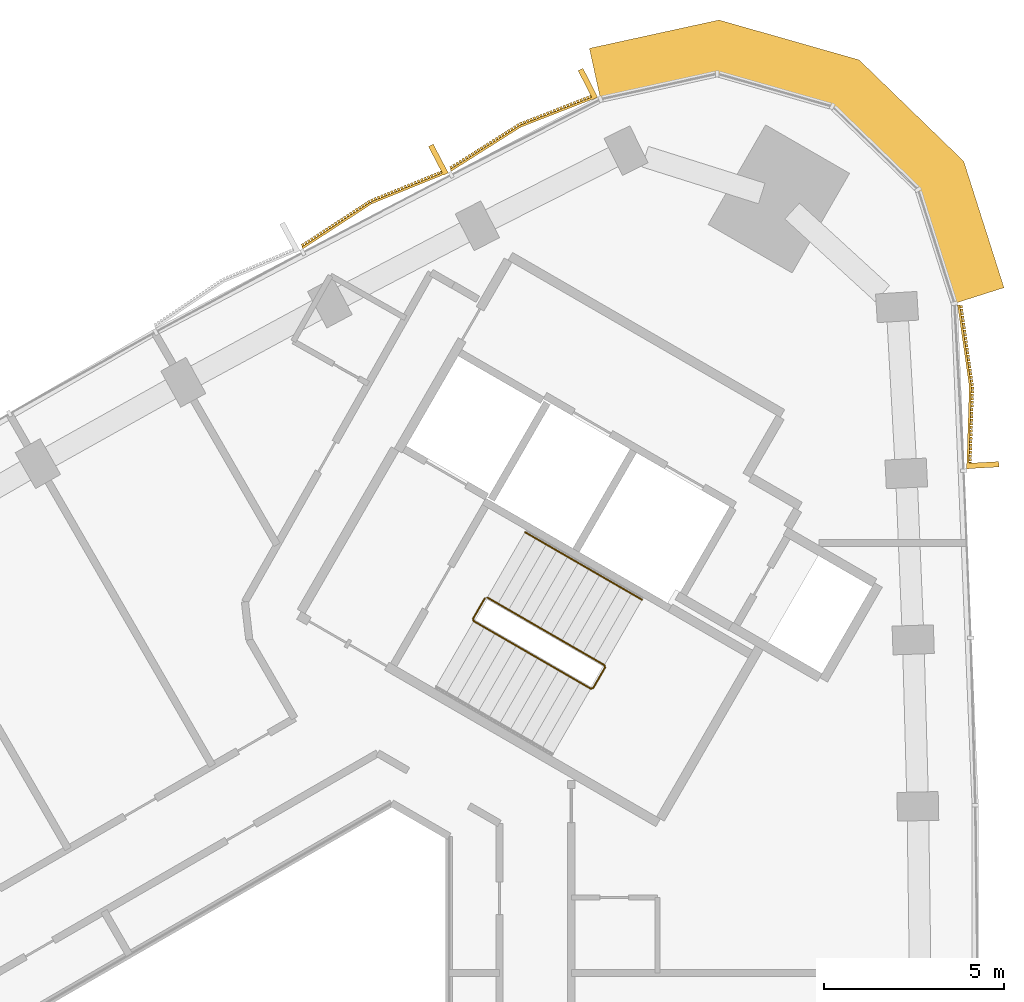
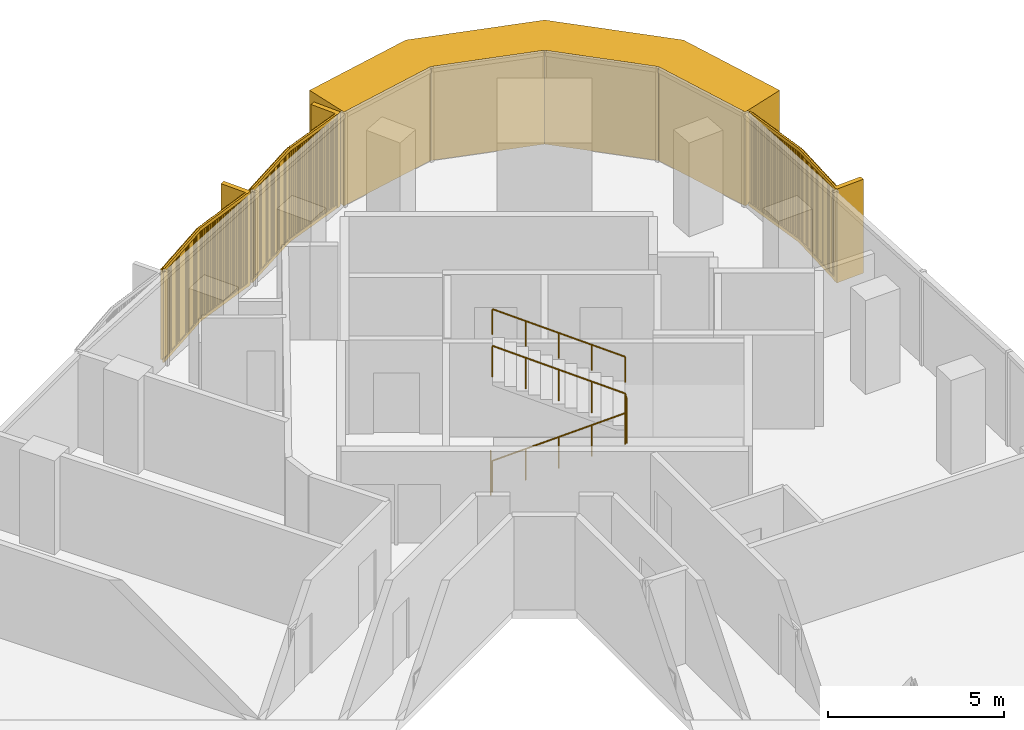
# One storey, part 13 of 13: 4 coverings, 2 railings.
"""IFC4 building model written with IfcOpenShell, lengths in metres."""

import ifcopenshell
import ifcopenshell.guid

model = None  # the IFC model being written
_history = None  # IfcOwnerHistory: only IFC2X3 demands one
_inside = {}  # id of a spatial element -> (the spatial element, [elements in it])
_under = {}  # id of a project, library or spatial element -> (it, [spatial elements below it])
_declared = {}  # id of a project -> (the project, [libraries it declares])
_typed = {}  # id of a type object -> (the type object, [elements of that type])
_made_of = {}  # id of a material, layer set ... -> (it, [elements and type objects made of it])


def new_model(schema):
    """Start an empty IFC model of exactly this schema.

    Asked for "IFC4X3", IfcOpenShell would pick the latest addendum, in which some entities
    have other attributes; the version numbers below select the first issue.
    IFC2X3 requires an IfcOwnerHistory on every rooted entity: one is made here for all.
    """
    global model, _history
    if schema == "IFC4X3":
        model = ifcopenshell.file(schema_version=(4, 3, 0, 0))
    else:
        model = ifcopenshell.file(schema=schema)
    _inside.clear()
    _under.clear()
    _declared.clear()
    _typed.clear()
    _made_of.clear()
    _history = None
    if model.schema == "IFC2X3":
        org = make("IfcOrganization", Name="unknown")
        user = make(
            "IfcPersonAndOrganization",
            ThePerson=make("IfcPerson", FamilyName="unknown"),
            TheOrganization=org,
        )
        app = make(
            "IfcApplication",
            ApplicationDeveloper=org,
            Version="unknown",
            ApplicationFullName="unknown",
            ApplicationIdentifier="unknown",
        )
        _history = make(
            "IfcOwnerHistory",
            OwningUser=user,
            OwningApplication=app,
            ChangeAction="ADDED",
            CreationDate=0,
        )
    return model


def make(cls, **values):
    """One entity of the class cls with the attributes given. An attribute that is None is left unset."""
    return model.create_entity(
        cls, **{name: value for name, value in values.items() if value is not None}
    )


def rooted(cls, **values):
    """An entity with a GlobalId (a new one), such as an element, a storey or a relation."""
    return make(cls, GlobalId=ifcopenshell.guid.new(), OwnerHistory=_history, **values)


def si_unit(unit_type, name, prefix=None):
    """IfcSIUnit, for example si_unit("LENGTHUNIT", "METRE", prefix="MILLI")."""
    return make("IfcSIUnit", UnitType=unit_type, Prefix=prefix, Name=name)


def assignment(units):
    """IfcUnitAssignment: the units of a project."""
    return None if units is None else make("IfcUnitAssignment", Units=units)


def point(xyz):
    """IfcCartesianPoint."""
    return None if xyz is None else make("IfcCartesianPoint", Coordinates=xyz)


def direction(xyz):
    """IfcDirection."""
    return None if xyz is None else make("IfcDirection", DirectionRatios=xyz)


def frame(location, z_axis=None, x_axis=None):
    """IfcAxis2Placement3D, a coordinate frame: its origin and axes. An axis left out is left unset."""
    return make(
        "IfcAxis2Placement3D",
        Location=point(location),
        Axis=direction(z_axis),
        RefDirection=direction(x_axis),
    )


def frame_2d(location, x_axis=None):
    """IfcAxis2Placement2D, a coordinate frame in the plane: its origin and x axis."""
    return make(
        "IfcAxis2Placement2D", Location=point(location), RefDirection=direction(x_axis)
    )


def origin():
    """The frame at (0, 0, 0) with its axes left unset."""
    return frame((0.0, 0.0, 0.0))


def origin_2d():
    """The frame at (0, 0) in the plane with its x axis left unset."""
    return frame_2d((0.0, 0.0))


def place(relative_to, where):
    """IfcLocalPlacement: puts the frame where relative to a parent placement (None: the world)."""
    return make(
        "IfcLocalPlacement", PlacementRelTo=relative_to, RelativePlacement=where
    )


def context(
    kind, dimensions, precision=None, world=None, true_north=None, identifier=None
):
    """IfcGeometricRepresentationContext, for example the 3D "Model" context."""
    return make(
        "IfcGeometricRepresentationContext",
        ContextIdentifier=identifier,
        ContextType=kind,
        CoordinateSpaceDimension=dimensions,
        Precision=precision,
        WorldCoordinateSystem=world,
        TrueNorth=true_north,
    )


def subcontext(parent, identifier, kind, view, scale=None):
    """IfcGeometricRepresentationSubContext, for example "Body" below "Model"."""
    return make(
        "IfcGeometricRepresentationSubContext",
        ContextIdentifier=identifier,
        ContextType=kind,
        ParentContext=parent,
        TargetScale=scale,
        TargetView=view,
    )


def project(units=None, contexts=None):
    """IfcProject with its units and contexts."""
    return rooted(
        "IfcProject",
        Name="project",
        RepresentationContexts=contexts,
        UnitsInContext=assignment(units),
    )


def spatial(cls, under=None, at=None, **own):
    """A site, building, storey or space (cls), placed at a placement, below another one or the project."""
    s = rooted(cls, ObjectPlacement=at, **own)
    if under is not None:
        _under.setdefault(under.id(), (under, []))[1].append(s)
    return s


def polyline(points):
    """IfcPolyline through the points."""
    return make("IfcPolyline", Points=[point(p) for p in points])


def profile(cls, at=None, kind="AREA", **sizes):
    """A parametric profile (cls). Its sizes go by their IFC names, for example OverallWidth=200.0."""
    return make(cls, ProfileType=kind, Position=at, **sizes)


def rectangle(**sizes):
    """IfcRectangleProfileDef."""
    return profile("IfcRectangleProfileDef", **sizes)


def circle(**sizes):
    """IfcCircleProfileDef."""
    return profile("IfcCircleProfileDef", **sizes)


def outline(outer, holes=None, kind="AREA"):
    """IfcArbitraryClosedProfileDef: a profile drawn as a closed curve; with holes, ...WithVoids."""
    if holes is None:
        return make("IfcArbitraryClosedProfileDef", ProfileType=kind, OuterCurve=outer)
    return make(
        "IfcArbitraryProfileDefWithVoids",
        ProfileType=kind,
        OuterCurve=outer,
        InnerCurves=holes,
    )


def extrude(swept, where, along, depth):
    """IfcExtrudedAreaSolid: the profile swept, set in the frame where, extruded along a direction by depth."""
    return make(
        "IfcExtrudedAreaSolid",
        SweptArea=swept,
        Position=where,
        ExtrudedDirection=direction(along),
        Depth=depth,
    )


def shape(context_of_items, identifier, shape_type, items):
    """IfcShapeRepresentation: the items that make up one representation, for example the "Body"."""
    return make(
        "IfcShapeRepresentation",
        ContextOfItems=context_of_items,
        RepresentationIdentifier=identifier,
        RepresentationType=shape_type,
        Items=items,
    )


def source(mapping_origin, context_of_items, identifier, shape_type, items):
    """IfcRepresentationMap: a shape defined once, which mapped items show again and again."""
    return make(
        "IfcRepresentationMap",
        MappingOrigin=mapping_origin,
        MappedRepresentation=shape(context_of_items, identifier, shape_type, items),
    )


def transform(
    local_origin,
    x_axis=None,
    y_axis=None,
    z_axis=None,
    scale=None,
    scale2=None,
    scale3=None,
    uniform=True,
):
    """IfcCartesianTransformationOperator3D, or its non-uniform kind. x_axis, y_axis, z_axis: its Axis1, 2, 3."""
    if uniform:
        return make(
            "IfcCartesianTransformationOperator3D",
            Axis1=direction(x_axis),
            Axis2=direction(y_axis),
            LocalOrigin=point(local_origin),
            Scale=scale,
            Axis3=direction(z_axis),
        )
    return make(
        "IfcCartesianTransformationOperator3DnonUniform",
        Axis1=direction(x_axis),
        Axis2=direction(y_axis),
        LocalOrigin=point(local_origin),
        Scale=scale,
        Axis3=direction(z_axis),
        Scale2=scale2,
        Scale3=scale3,
    )


def mapped(mapping_source, mapping_target):
    """IfcMappedItem: shows the shape of a source again, moved by a transform."""
    return make(
        "IfcMappedItem", MappingSource=mapping_source, MappingTarget=mapping_target
    )


def material(Name=None, Category=None):
    """IfcMaterial."""
    return make("IfcMaterial", Name=Name, Category=Category)


def layer(
    of_material, thickness, ventilated=None, Name=None, Category=None, Priority=None
):
    """IfcMaterialLayer: one layer of a wall or slab, of a material (None: an air gap)."""
    return make(
        "IfcMaterialLayer",
        Material=of_material,
        LayerThickness=thickness,
        IsVentilated=ventilated,
        Name=Name,
        Category=Category,
        Priority=Priority,
    )


def layer_set(layers, Name=None):
    """IfcMaterialLayerSet."""
    return make("IfcMaterialLayerSet", MaterialLayers=layers, LayerSetName=Name)


def made_of(thing, what):
    """Note that an element or type object is made of a material, layer set ...; save() writes the relation."""
    if what is not None:
        _made_of.setdefault(what.id(), (what, []))[1].append(thing)
    return thing


def type_object(cls, material=None, **own):
    """A type object (cls), such as IfcWallType, which elements share."""
    return made_of(rooted(cls, **own), material)


def element(
    cls,
    number,
    at=None,
    inside=None,
    cuts=None,
    type_object=None,
    material=None,
    context=None,
    identifier="Body",
    shape_type=None,
    held_by="IfcProductDefinitionShape",
    body=None,
    shapes=None,
    **own,
):
    """One element of the class cls, such as IfcWall. Its Tag is "e" and its number.

    at: its placement. inside: the storey or other place that contains it. cuts: it is an
    opening in that element (IfcRelVoidsElement). A single representation is given by context,
    identifier, shape_type and body (its items); several are given by shapes. held_by: the class
    of the entity that holds the representations. save() writes the other relations.
    """
    e = rooted(cls, Tag="e%d" % number, ObjectPlacement=at, **own)
    if body is not None:
        shapes = [shape(context, identifier, shape_type, body)]
    if shapes is not None:
        e.Representation = make(held_by, Representations=shapes)
    if inside is not None:
        _inside.setdefault(inside.id(), (inside, []))[1].append(e)
    if cuts is not None:
        rooted(
            "IfcRelVoidsElement", RelatingBuildingElement=cuts, RelatedOpeningElement=e
        )
    if type_object is not None:
        _typed.setdefault(type_object.id(), (type_object, []))[1].append(e)
    return made_of(e, material)


def aggregate(whole, parts):
    """IfcRelAggregates: a whole, such as a stair, and the parts it consists of."""
    return rooted("IfcRelAggregates", RelatingObject=whole, RelatedObjects=parts)


def save(model, path):
    """Write the relations noted so far, then the file.

    IfcRelAggregates (storeys below a building ...), IfcRelContainedInSpatialStructure (elements
    in a storey), IfcRelDefinesByType, IfcRelAssociatesMaterial and IfcRelDeclares: one each for
    every whole, place, type object, material and project.
    """
    for whole, parts in _under.values():
        aggregate(whole, parts)
    for where, things in _inside.values():
        rooted(
            "IfcRelContainedInSpatialStructure",
            RelatedElements=things,
            RelatingStructure=where,
        )
    for kind, things in _typed.values():
        rooted("IfcRelDefinesByType", RelatedObjects=things, RelatingType=kind)
    for what, things in _made_of.values():
        rooted("IfcRelAssociatesMaterial", RelatedObjects=things, RelatingMaterial=what)
    for by, libraries in _declared.values():
        rooted("IfcRelDeclares", RelatingContext=by, RelatedDefinitions=libraries)
    model.write(path)


model = new_model("IFC4")

# Units and contexts
model_context = context("Model", 3, precision=1e-05, world=origin(), true_north=direction((0.0, 1.0)))
body_context = subcontext(model_context, "Body", "Model", "MODEL_VIEW")
ifc_project = project(units=[si_unit("LENGTHUNIT", "METRE"), si_unit("AREAUNIT", "SQUARE_METRE"), si_unit("VOLUMEUNIT", "CUBIC_METRE"), si_unit("PLANEANGLEUNIT", "RADIAN"), si_unit("MASSUNIT", "GRAM", prefix="KILO")], contexts=[model_context])

# Site, building, storey
site_placement = place(None, origin())
site = spatial("IfcSite", under=ifc_project, at=site_placement, CompositionType="ELEMENT")
building_placement = place(site_placement, origin())
building = spatial("IfcBuilding", under=site, at=building_placement, Name="Tamra Quay Hotel Tower", CompositionType="ELEMENT")
storey_placement = place(building_placement, frame((0.0, 0.0, 182.800048828125)))
storey = spatial("IfcBuildingStorey", under=building, at=storey_placement, Name="L45", CompositionType="ELEMENT", Elevation=182.800048828125)

# Covering
ifc_material_1 = material(Name="Precast concrete M60 terracotta-coloured", Category="masonry")
ifc_layer = layer(ifc_material_1, 1.449951171875)
ifc_layer_set = layer_set([ifc_layer], Name="CORNER PIER PANEL")
covering_type_1 = type_object("IfcCoveringType", Name="CORNER PIER PANEL", PredefinedType="CLADDING", material=ifc_layer_set)
covering_1_placement = place(storey_placement, origin())
element("IfcCovering", 1, at=covering_1_placement, inside=storey, type_object=covering_type_1, Name="Corner pier L45.east", PredefinedType="CLADDING", context=body_context, shape_type="SweptSolid", body=[
    extrude(outline(polyline([(18.665283203125, 20.955078125), (20.047119140625, 21.39501953125), (18.9267578125, 24.913330078125), (16.013916015625, 27.737060546875), (12.1123046875, 28.84765625), (8.505126953125, 28.058837890625), (8.81494140625, 26.642333984375), (12.06591796875, 27.353271484375), (15.2666015625, 26.4423828125), (17.65576171875, 24.1259765625), (18.665283203125, 20.955078125)])), origin(), (0.0, 0.0, 1.0), 3.25),
])

# Railings
ifc_material_2 = material(Name="Stair guard 1100")
railing_type_1 = type_object("IfcRailingType", Name="Stair guard 1100", PredefinedType="GUARDRAIL", material=ifc_material_2)
railing_1_placement = place(storey_placement, frame((5.595458984375, 12.751953125, 0.0)))
element("IfcRailing", 2, at=railing_1_placement, inside=storey, type_object=railing_type_1, Name="GR", PredefinedType="GUARDRAIL", context=body_context, shape_type="SweptSolid", body=[
    extrude(circle(Radius=0.02392578125, at=origin_2d()), frame((0.0, 0.0, 1.076171875), z_axis=(-0.499765215335, -0.866160914346, 0.0), x_axis=(0.866160914346, -0.499765215335, 0.0)), (0.0, 0.0, 1.0), 0.658935546875),
    extrude(circle(Radius=0.02392578125, at=origin_2d()), frame((-0.329345703125, -0.57080078125, 1.076171875), z_axis=(0.110525977783, -0.411156637351, 0.904839338113), x_axis=(0.965715946433, 0.259601060869, 0.0)), (0.0, 0.0, 1.0), 0.165771484375),
    extrude(circle(Radius=0.02392578125, at=origin_2d()), frame((-0.31103515625, -0.638916015625, 1.22607421875), z_axis=(0.79305953016, -0.457922937641, 0.401700342053), x_axis=(0.500040788363, 0.866001853331, 0.0)), (0.0, 0.0, 1.0), 4.10791015625),
    extrude(circle(Radius=0.02392578125, at=origin_2d()), frame((2.94677734375, -2.52001953125, 2.8759765625), z_axis=(0.965948051503, 0.258736085224, 0.0), x_axis=(-0.258736085224, 0.965948051503, 0.0)), (0.0, 0.0, 1.0), 0.07080078125),
    extrude(circle(Radius=0.02392578125, at=origin_2d()), frame((3.01513671875, -2.501708984375, 2.8759765625), z_axis=(0.500043078269, 0.866000531106, 0.0), x_axis=(-0.866000531106, 0.500043078269, 0.0)), (0.0, 0.0, 1.0), 0.6591796875),
    extrude(circle(Radius=0.02392578125, at=origin_2d()), frame((3.3447265625, -1.930908203125, 2.8759765625), z_axis=(-0.110525977783, 0.411156637351, 0.904839338113), x_axis=(-0.965715946433, -0.259601060869, 0.0)), (0.0, 0.0, 1.0), 0.165771484375),
    extrude(circle(Radius=0.02392578125, at=origin_2d()), frame((3.326416015625, -1.86279296875, 3.02587890625), z_axis=(-0.793100512587, 0.457912285461, 0.401631567183), x_axis=(-0.500012686397, -0.866018079166, 0.0)), (0.0, 0.0, 1.0), 4.10791015625),
    extrude(circle(Radius=0.02099609375, at=origin_2d()), origin(), (0.0, 0.0, 1.0), 1.052001953125),
    extrude(circle(Radius=0.02099609375, at=origin_2d()), frame((-0.329345703125, -0.57080078125, 0.0)), (0.0, 0.0, 1.0), 1.052001953125),
    extrude(circle(Radius=0.02099609375, at=origin_2d()), frame((-0.31103515625, -0.638916015625, 0.14990234375)), (0.0, 0.0, 1.0), 1.052001953125),
    extrude(circle(Radius=0.02099609375, at=origin_2d()), frame((0.50341796875, -1.109130859375, 0.5625)), (0.0, 0.0, 1.0), 1.052001953125),
    extrude(circle(Radius=0.02099609375, at=origin_2d()), frame((1.31787109375, -1.57958984375, 0.97509765625)), (0.0, 0.0, 1.0), 1.052001953125),
    extrude(circle(Radius=0.02099609375, at=origin_2d()), frame((2.13232421875, -2.0498046875, 1.387451171875)), (0.0, 0.0, 1.0), 1.052001953125),
    extrude(circle(Radius=0.02099609375, at=origin_2d()), frame((2.94677734375, -2.52001953125, 1.800048828125)), (0.0, 0.0, 1.0), 1.052001953125),
    extrude(circle(Radius=0.02099609375, at=origin_2d()), frame((3.01513671875, -2.501708984375, 1.800048828125)), (0.0, 0.0, 1.0), 1.052001953125),
    extrude(circle(Radius=0.02099609375, at=origin_2d()), frame((3.3447265625, -1.930908203125, 1.800048828125)), (0.0, 0.0, 1.0), 1.052001953125),
    extrude(circle(Radius=0.02099609375, at=origin_2d()), frame((3.326416015625, -1.86279296875, 1.949951171875)), (0.0, 0.0, 1.0), 1.052001953125),
    extrude(circle(Radius=0.02099609375, at=origin_2d()), frame((2.511962890625, -1.392578125, 2.3623046875)), (0.0, 0.0, 1.0), 1.052001953125),
    extrude(circle(Radius=0.02099609375, at=origin_2d()), frame((1.697265625, -0.92236328125, 2.77490234375)), (0.0, 0.0, 1.0), 1.052001953125),
    extrude(circle(Radius=0.02099609375, at=origin_2d()), frame((0.8828125, -0.451904296875, 3.1875)), (0.0, 0.0, 1.0), 1.052001953125),
    extrude(circle(Radius=0.02099609375, at=origin_2d()), frame((0.068359375, 0.018310546875, 3.599853515625)), (0.0, 0.0, 1.0), 1.052001953125),
])
ifc_material_3 = material(Name="Stair handrail 900")
railing_type_2 = type_object("IfcRailingType", Name="Stair handrail 900", PredefinedType="HANDRAIL", material=ifc_material_3)
railing_2_placement = place(storey_placement, frame((9.971923828125, 12.7080078125, 1.949951171875)))
element("IfcRailing", 3, at=railing_2_placement, inside=storey, type_object=railing_type_2, Name="HR", PredefinedType="HANDRAIL", context=body_context, shape_type="SweptSolid", body=[
    extrude(circle(Radius=0.02392578125, at=origin_2d()), frame((0.0, 0.0, 0.8759765625), z_axis=(-0.793122095483, 0.45786531462, 0.401642496911), x_axis=(-0.499964013922, -0.86604617936, 0.0)), (0.0, 0.0, 1.0), 4.10791015625),
    extrude(circle(Radius=0.02099609375, at=origin_2d()), origin(), (0.0, 0.0, 1.0), 0.851806640625),
    extrude(circle(Radius=0.02099609375, at=origin_2d()), frame((-0.814453125, 0.47021484375, 0.41259765625)), (0.0, 0.0, 1.0), 0.851806640625),
    extrude(circle(Radius=0.02099609375, at=origin_2d()), frame((-1.62890625, 0.9404296875, 0.824951171875)), (0.0, 0.0, 1.0), 0.851806640625),
    extrude(circle(Radius=0.02099609375, at=origin_2d()), frame((-2.443603515625, 1.41064453125, 1.2373046875)), (0.0, 0.0, 1.0), 0.851806640625),
    extrude(circle(Radius=0.02099609375, at=origin_2d()), frame((-3.258056640625, 1.880859375, 1.64990234375)), (0.0, 0.0, 1.0), 0.851806640625),
])

# Coverings
ifc_material_4 = material(Name="Terracotta baguette extruded", Category="masonry")
covering_type_2 = type_object("IfcCoveringType", Name="BAGUETTE SCREEN E-V H3250", PredefinedType="USERDEFINED", material=ifc_material_4)
shared_shape_1 = source(origin(), body_context, "Body", "SweptSolid", [
    extrude(rectangle(XDim=2.291259765625, YDim=0.06005859375, at=frame_2d((1.1455078125, 0.030029296875))), frame((-2.287841796875, -0.057861328125, -0.1201171875), z_axis=(0.0, 0.0, 1.0), x_axis=(0.996194698092, -0.087155742748, 0.0)), (0.0, 0.0, 1.0), 0.1201171875),
    extrude(rectangle(XDim=2.291259765625, YDim=0.06005859375, at=frame_2d((1.1455078125, 0.030029296875))), frame((-2.287841796875, -0.057861328125, -3.25), z_axis=(0.0, 0.0, 1.0), x_axis=(0.996194698092, -0.087155742748, 0.0)), (0.0, 0.0, 1.0), 0.1201171875),
    extrude(rectangle(XDim=0.070068359375, YDim=0.10009765625, at=frame_2d((0.03515625, 0.050048828125))), frame((-2.267822265625, -0.13232421875, -3.18994140625)), (0.0, 0.0, 1.0), 3.1298828125),
    extrude(rectangle(XDim=0.070068359375, YDim=0.10009765625, at=frame_2d((0.03515625, 0.050048828125))), frame((-2.168701171875, -0.14111328125, -3.18994140625)), (0.0, 0.0, 1.0), 3.1298828125),
    extrude(rectangle(XDim=0.070068359375, YDim=0.10009765625, at=frame_2d((0.03515625, 0.050048828125))), frame((-2.0693359375, -0.149658203125, -3.18994140625)), (0.0, 0.0, 1.0), 3.1298828125),
    extrude(rectangle(XDim=0.070068359375, YDim=0.10009765625, at=frame_2d((0.03515625, 0.050048828125))), frame((-1.97021484375, -0.158447265625, -3.18994140625)), (0.0, 0.0, 1.0), 3.1298828125),
    extrude(rectangle(XDim=0.070068359375, YDim=0.10009765625, at=frame_2d((0.03515625, 0.050048828125))), frame((-1.870849609375, -0.1669921875, -3.18994140625)), (0.0, 0.0, 1.0), 3.1298828125),
    extrude(rectangle(XDim=0.070068359375, YDim=0.10009765625, at=frame_2d((0.03515625, 0.050048828125))), frame((-1.771728515625, -0.17578125, -3.18994140625)), (0.0, 0.0, 1.0), 3.1298828125),
    extrude(rectangle(XDim=0.070068359375, YDim=0.10009765625, at=frame_2d((0.03515625, 0.050048828125))), frame((-1.67236328125, -0.184326171875, -3.18994140625)), (0.0, 0.0, 1.0), 3.1298828125),
    extrude(rectangle(XDim=0.070068359375, YDim=0.10009765625, at=frame_2d((0.03515625, 0.050048828125))), frame((-1.5732421875, -0.193115234375, -3.18994140625)), (0.0, 0.0, 1.0), 3.1298828125),
    extrude(rectangle(XDim=0.070068359375, YDim=0.10009765625, at=frame_2d((0.03515625, 0.050048828125))), frame((-1.473876953125, -0.201904296875, -3.18994140625)), (0.0, 0.0, 1.0), 3.1298828125),
    extrude(rectangle(XDim=0.070068359375, YDim=0.10009765625, at=frame_2d((0.03515625, 0.050048828125))), frame((-1.374755859375, -0.21044921875, -3.18994140625)), (0.0, 0.0, 1.0), 3.1298828125),
    extrude(rectangle(XDim=0.070068359375, YDim=0.10009765625, at=frame_2d((0.03515625, 0.050048828125))), frame((-1.275390625, -0.21923828125, -3.18994140625)), (0.0, 0.0, 1.0), 3.1298828125),
    extrude(rectangle(XDim=0.070068359375, YDim=0.10009765625, at=frame_2d((0.03515625, 0.050048828125))), frame((-1.17626953125, -0.227783203125, -3.18994140625)), (0.0, 0.0, 1.0), 3.1298828125),
    extrude(rectangle(XDim=0.070068359375, YDim=0.10009765625, at=frame_2d((0.03515625, 0.050048828125))), frame((-1.076904296875, -0.236572265625, -3.18994140625)), (0.0, 0.0, 1.0), 3.1298828125),
    extrude(rectangle(XDim=0.070068359375, YDim=0.10009765625, at=frame_2d((0.03515625, 0.050048828125))), frame((-0.977783203125, -0.2451171875, -3.18994140625)), (0.0, 0.0, 1.0), 3.1298828125),
    extrude(rectangle(XDim=0.070068359375, YDim=0.10009765625, at=frame_2d((0.03515625, 0.050048828125))), frame((-0.87841796875, -0.25390625, -3.18994140625)), (0.0, 0.0, 1.0), 3.1298828125),
    extrude(rectangle(XDim=0.070068359375, YDim=0.10009765625, at=frame_2d((0.03515625, 0.050048828125))), frame((-0.779296875, -0.2626953125, -3.18994140625)), (0.0, 0.0, 1.0), 3.1298828125),
    extrude(rectangle(XDim=0.070068359375, YDim=0.10009765625, at=frame_2d((0.03515625, 0.050048828125))), frame((-0.679931640625, -0.271240234375, -3.18994140625)), (0.0, 0.0, 1.0), 3.1298828125),
    extrude(rectangle(XDim=0.070068359375, YDim=0.10009765625, at=frame_2d((0.03515625, 0.050048828125))), frame((-0.580810546875, -0.280029296875, -3.18994140625)), (0.0, 0.0, 1.0), 3.1298828125),
    extrude(rectangle(XDim=0.070068359375, YDim=0.10009765625, at=frame_2d((0.03515625, 0.050048828125))), frame((-0.481689453125, -0.28857421875, -3.18994140625)), (0.0, 0.0, 1.0), 3.1298828125),
    extrude(rectangle(XDim=0.070068359375, YDim=0.10009765625, at=frame_2d((0.03515625, 0.050048828125))), frame((-0.38232421875, -0.29736328125, -3.18994140625)), (0.0, 0.0, 1.0), 3.1298828125),
    extrude(rectangle(XDim=0.070068359375, YDim=0.10009765625, at=frame_2d((0.03515625, 0.050048828125))), frame((-0.283203125, -0.305908203125, -3.18994140625)), (0.0, 0.0, 1.0), 3.1298828125),
    extrude(rectangle(XDim=0.070068359375, YDim=0.10009765625, at=frame_2d((0.03515625, 0.050048828125))), frame((-0.183837890625, -0.314697265625, -3.18994140625)), (0.0, 0.0, 1.0), 3.1298828125),
    extrude(rectangle(XDim=0.070068359375, YDim=0.10009765625, at=frame_2d((0.03515625, 0.050048828125))), frame((-0.084716796875, -0.3232421875, -3.18994140625)), (0.0, 0.0, 1.0), 3.1298828125),
    extrude(rectangle(XDim=2.291259765625, YDim=0.06005859375, at=frame_2d((1.1455078125, 0.030029296875))), frame((0.005126953125, -0.257568359375, -0.1201171875), z_axis=(0.0, 0.0, 1.0), x_axis=(0.996194698092, 0.087155742748, 0.0)), (0.0, 0.0, 1.0), 0.1201171875),
    extrude(rectangle(XDim=2.291259765625, YDim=0.06005859375, at=frame_2d((1.1455078125, 0.030029296875))), frame((0.005126953125, -0.257568359375, -3.25), z_axis=(0.0, 0.0, 1.0), x_axis=(0.996194698092, 0.087155742748, 0.0)), (0.0, 0.0, 1.0), 0.1201171875),
    extrude(rectangle(XDim=0.070068359375, YDim=0.10009765625, at=frame_2d((0.03515625, 0.050048828125))), frame((0.0146484375, -0.3232421875, -3.18994140625)), (0.0, 0.0, 1.0), 3.1298828125),
    extrude(rectangle(XDim=0.070068359375, YDim=0.10009765625, at=frame_2d((0.03515625, 0.050048828125))), frame((0.11376953125, -0.314697265625, -3.18994140625)), (0.0, 0.0, 1.0), 3.1298828125),
    extrude(rectangle(XDim=0.070068359375, YDim=0.10009765625, at=frame_2d((0.03515625, 0.050048828125))), frame((0.213134765625, -0.305908203125, -3.18994140625)), (0.0, 0.0, 1.0), 3.1298828125),
    extrude(rectangle(XDim=0.070068359375, YDim=0.10009765625, at=frame_2d((0.03515625, 0.050048828125))), frame((0.312255859375, -0.29736328125, -3.18994140625)), (0.0, 0.0, 1.0), 3.1298828125),
    extrude(rectangle(XDim=0.070068359375, YDim=0.10009765625, at=frame_2d((0.03515625, 0.050048828125))), frame((0.41162109375, -0.28857421875, -3.18994140625)), (0.0, 0.0, 1.0), 3.1298828125),
    extrude(rectangle(XDim=0.070068359375, YDim=0.10009765625, at=frame_2d((0.03515625, 0.050048828125))), frame((0.5107421875, -0.280029296875, -3.18994140625)), (0.0, 0.0, 1.0), 3.1298828125),
    extrude(rectangle(XDim=0.070068359375, YDim=0.10009765625, at=frame_2d((0.03515625, 0.050048828125))), frame((0.610107421875, -0.271240234375, -3.18994140625)), (0.0, 0.0, 1.0), 3.1298828125),
    extrude(rectangle(XDim=0.070068359375, YDim=0.10009765625, at=frame_2d((0.03515625, 0.050048828125))), frame((0.709228515625, -0.2626953125, -3.18994140625)), (0.0, 0.0, 1.0), 3.1298828125),
    extrude(rectangle(XDim=0.070068359375, YDim=0.10009765625, at=frame_2d((0.03515625, 0.050048828125))), frame((0.80859375, -0.25390625, -3.18994140625)), (0.0, 0.0, 1.0), 3.1298828125),
    extrude(rectangle(XDim=0.070068359375, YDim=0.10009765625, at=frame_2d((0.03515625, 0.050048828125))), frame((0.90771484375, -0.2451171875, -3.18994140625)), (0.0, 0.0, 1.0), 3.1298828125),
    extrude(rectangle(XDim=0.070068359375, YDim=0.10009765625, at=frame_2d((0.03515625, 0.050048828125))), frame((1.007080078125, -0.236572265625, -3.18994140625)), (0.0, 0.0, 1.0), 3.1298828125),
    extrude(rectangle(XDim=0.070068359375, YDim=0.10009765625, at=frame_2d((0.03515625, 0.050048828125))), frame((1.106201171875, -0.227783203125, -3.18994140625)), (0.0, 0.0, 1.0), 3.1298828125),
    extrude(rectangle(XDim=0.070068359375, YDim=0.10009765625, at=frame_2d((0.03515625, 0.050048828125))), frame((1.20556640625, -0.21923828125, -3.18994140625)), (0.0, 0.0, 1.0), 3.1298828125),
    extrude(rectangle(XDim=0.070068359375, YDim=0.10009765625, at=frame_2d((0.03515625, 0.050048828125))), frame((1.3046875, -0.21044921875, -3.18994140625)), (0.0, 0.0, 1.0), 3.1298828125),
    extrude(rectangle(XDim=0.070068359375, YDim=0.10009765625, at=frame_2d((0.03515625, 0.050048828125))), frame((1.404052734375, -0.201904296875, -3.18994140625)), (0.0, 0.0, 1.0), 3.1298828125),
    extrude(rectangle(XDim=0.070068359375, YDim=0.10009765625, at=frame_2d((0.03515625, 0.050048828125))), frame((1.503173828125, -0.193115234375, -3.18994140625)), (0.0, 0.0, 1.0), 3.1298828125),
    extrude(rectangle(XDim=0.070068359375, YDim=0.10009765625, at=frame_2d((0.03515625, 0.050048828125))), frame((1.6025390625, -0.184326171875, -3.18994140625)), (0.0, 0.0, 1.0), 3.1298828125),
    extrude(rectangle(XDim=0.070068359375, YDim=0.10009765625, at=frame_2d((0.03515625, 0.050048828125))), frame((1.70166015625, -0.17578125, -3.18994140625)), (0.0, 0.0, 1.0), 3.1298828125),
    extrude(rectangle(XDim=0.070068359375, YDim=0.10009765625, at=frame_2d((0.03515625, 0.050048828125))), frame((1.801025390625, -0.1669921875, -3.18994140625)), (0.0, 0.0, 1.0), 3.1298828125),
    extrude(rectangle(XDim=0.070068359375, YDim=0.10009765625, at=frame_2d((0.03515625, 0.050048828125))), frame((1.900146484375, -0.158447265625, -3.18994140625)), (0.0, 0.0, 1.0), 3.1298828125),
    extrude(rectangle(XDim=0.070068359375, YDim=0.10009765625, at=frame_2d((0.03515625, 0.050048828125))), frame((1.99951171875, -0.149658203125, -3.18994140625)), (0.0, 0.0, 1.0), 3.1298828125),
    extrude(rectangle(XDim=0.070068359375, YDim=0.10009765625, at=frame_2d((0.03515625, 0.050048828125))), frame((2.0986328125, -0.14111328125, -3.18994140625)), (0.0, 0.0, 1.0), 3.1298828125),
    extrude(rectangle(XDim=0.070068359375, YDim=0.10009765625, at=frame_2d((0.03515625, 0.050048828125))), frame((2.197998046875, -0.13232421875, -3.18994140625)), (0.0, 0.0, 1.0), 3.1298828125),
    extrude(rectangle(XDim=0.14990234375, YDim=0.902099609375, at=frame_2d((0.074951171875, 0.451171875))), frame((-2.282470703125, -0.89990234375, -3.25)), (0.0, 0.0, 1.0), 3.25),
])
covering_2_placement = place(storey_placement, frame((18.88232421875, 18.6337890625, 3.25), z_axis=(0.0, 0.0, 1.0), x_axis=(-0.055416978175, 0.998463298539, 0.0)))
element("IfcCovering", 4, at=covering_2_placement, inside=storey, type_object=covering_type_2, Name="Baguette screen L45.E.f08", ObjectType="BAGUETTE SCREEN", PredefinedType="USERDEFINED", context=body_context, shape_type="MappedRepresentation", body=[
    mapped(shared_shape_1, transform((0.0, 0.0, 0.0), scale=1.0)),
])
covering_type_3 = type_object("IfcCoveringType", Name="BAGUETTE SCREEN NW-V H3250", PredefinedType="USERDEFINED", material=ifc_material_4)
shared_shape_2 = source(origin(), body_context, "Body", "SweptSolid", [
    extrude(rectangle(XDim=2.29296875, YDim=0.06005859375, at=frame_2d((1.146484375, 0.030029296875))), frame((-2.288330078125, -0.0576171875, -0.1201171875), z_axis=(0.0, 0.0, 1.0), x_axis=(0.995396198367, -0.09584575252, 0.0)), (0.0, 0.0, 1.0), 0.1201171875),
    extrude(rectangle(XDim=2.29296875, YDim=0.06005859375, at=frame_2d((1.146484375, 0.030029296875))), frame((-2.288330078125, -0.0576171875, -3.25), z_axis=(0.0, 0.0, 1.0), x_axis=(0.995396198367, -0.09584575252, 0.0)), (0.0, 0.0, 1.0), 0.1201171875),
    extrude(rectangle(XDim=0.070068359375, YDim=0.10009765625, at=frame_2d((0.03515625, 0.050048828125))), frame((-2.267822265625, -0.1328125, -3.18994140625)), (0.0, 0.0, 1.0), 3.1298828125),
    extrude(rectangle(XDim=0.070068359375, YDim=0.10009765625, at=frame_2d((0.03515625, 0.050048828125))), frame((-2.168701171875, -0.142333984375, -3.18994140625)), (0.0, 0.0, 1.0), 3.1298828125),
    extrude(rectangle(XDim=0.070068359375, YDim=0.10009765625, at=frame_2d((0.03515625, 0.050048828125))), frame((-2.0693359375, -0.15185546875, -3.18994140625)), (0.0, 0.0, 1.0), 3.1298828125),
    extrude(rectangle(XDim=0.070068359375, YDim=0.10009765625, at=frame_2d((0.03515625, 0.050048828125))), frame((-1.97021484375, -0.161376953125, -3.18994140625)), (0.0, 0.0, 1.0), 3.1298828125),
    extrude(rectangle(XDim=0.070068359375, YDim=0.10009765625, at=frame_2d((0.03515625, 0.050048828125))), frame((-1.870849609375, -0.1708984375, -3.18994140625)), (0.0, 0.0, 1.0), 3.1298828125),
    extrude(rectangle(XDim=0.070068359375, YDim=0.10009765625, at=frame_2d((0.03515625, 0.050048828125))), frame((-1.771728515625, -0.1806640625, -3.18994140625)), (0.0, 0.0, 1.0), 3.1298828125),
    extrude(rectangle(XDim=0.070068359375, YDim=0.10009765625, at=frame_2d((0.03515625, 0.050048828125))), frame((-1.67236328125, -0.190185546875, -3.18994140625)), (0.0, 0.0, 1.0), 3.1298828125),
    extrude(rectangle(XDim=0.070068359375, YDim=0.10009765625, at=frame_2d((0.03515625, 0.050048828125))), frame((-1.5732421875, -0.19970703125, -3.18994140625)), (0.0, 0.0, 1.0), 3.1298828125),
    extrude(rectangle(XDim=0.070068359375, YDim=0.10009765625, at=frame_2d((0.03515625, 0.050048828125))), frame((-1.473876953125, -0.209228515625, -3.18994140625)), (0.0, 0.0, 1.0), 3.1298828125),
    extrude(rectangle(XDim=0.070068359375, YDim=0.10009765625, at=frame_2d((0.03515625, 0.050048828125))), frame((-1.374755859375, -0.21875, -3.18994140625)), (0.0, 0.0, 1.0), 3.1298828125),
    extrude(rectangle(XDim=0.070068359375, YDim=0.10009765625, at=frame_2d((0.03515625, 0.050048828125))), frame((-1.275390625, -0.228271484375, -3.18994140625)), (0.0, 0.0, 1.0), 3.1298828125),
    extrude(rectangle(XDim=0.070068359375, YDim=0.10009765625, at=frame_2d((0.03515625, 0.050048828125))), frame((-1.17626953125, -0.23779296875, -3.18994140625)), (0.0, 0.0, 1.0), 3.1298828125),
    extrude(rectangle(XDim=0.070068359375, YDim=0.10009765625, at=frame_2d((0.03515625, 0.050048828125))), frame((-1.076904296875, -0.24755859375, -3.18994140625)), (0.0, 0.0, 1.0), 3.1298828125),
    extrude(rectangle(XDim=0.070068359375, YDim=0.10009765625, at=frame_2d((0.03515625, 0.050048828125))), frame((-0.977783203125, -0.257080078125, -3.18994140625)), (0.0, 0.0, 1.0), 3.1298828125),
    extrude(rectangle(XDim=0.070068359375, YDim=0.10009765625, at=frame_2d((0.03515625, 0.050048828125))), frame((-0.87841796875, -0.2666015625, -3.18994140625)), (0.0, 0.0, 1.0), 3.1298828125),
    extrude(rectangle(XDim=0.070068359375, YDim=0.10009765625, at=frame_2d((0.03515625, 0.050048828125))), frame((-0.779296875, -0.276123046875, -3.18994140625)), (0.0, 0.0, 1.0), 3.1298828125),
    extrude(rectangle(XDim=0.070068359375, YDim=0.10009765625, at=frame_2d((0.03515625, 0.050048828125))), frame((-0.679931640625, -0.28564453125, -3.18994140625)), (0.0, 0.0, 1.0), 3.1298828125),
    extrude(rectangle(XDim=0.070068359375, YDim=0.10009765625, at=frame_2d((0.03515625, 0.050048828125))), frame((-0.580810546875, -0.295166015625, -3.18994140625)), (0.0, 0.0, 1.0), 3.1298828125),
    extrude(rectangle(XDim=0.070068359375, YDim=0.10009765625, at=frame_2d((0.03515625, 0.050048828125))), frame((-0.481689453125, -0.3046875, -3.18994140625)), (0.0, 0.0, 1.0), 3.1298828125),
    extrude(rectangle(XDim=0.070068359375, YDim=0.10009765625, at=frame_2d((0.03515625, 0.050048828125))), frame((-0.38232421875, -0.314453125, -3.18994140625)), (0.0, 0.0, 1.0), 3.1298828125),
    extrude(rectangle(XDim=0.070068359375, YDim=0.10009765625, at=frame_2d((0.03515625, 0.050048828125))), frame((-0.283203125, -0.323974609375, -3.18994140625)), (0.0, 0.0, 1.0), 3.1298828125),
    extrude(rectangle(XDim=0.070068359375, YDim=0.10009765625, at=frame_2d((0.03515625, 0.050048828125))), frame((-0.183837890625, -0.33349609375, -3.18994140625)), (0.0, 0.0, 1.0), 3.1298828125),
    extrude(rectangle(XDim=0.070068359375, YDim=0.10009765625, at=frame_2d((0.03515625, 0.050048828125))), frame((-0.084716796875, -0.343017578125, -3.18994140625)), (0.0, 0.0, 1.0), 3.1298828125),
    extrude(rectangle(XDim=2.29296875, YDim=0.06005859375, at=frame_2d((1.146484375, 0.030029296875))), frame((0.005859375, -0.277587890625, -0.1201171875), z_axis=(0.0, 0.0, 1.0), x_axis=(0.995396198367, 0.09584575252, 0.0)), (0.0, 0.0, 1.0), 0.1201171875),
    extrude(rectangle(XDim=2.29296875, YDim=0.06005859375, at=frame_2d((1.146484375, 0.030029296875))), frame((0.005859375, -0.277587890625, -3.25), z_axis=(0.0, 0.0, 1.0), x_axis=(0.995396198367, 0.09584575252, 0.0)), (0.0, 0.0, 1.0), 0.1201171875),
    extrude(rectangle(XDim=0.070068359375, YDim=0.10009765625, at=frame_2d((0.03515625, 0.050048828125))), frame((0.0146484375, -0.343017578125, -3.18994140625)), (0.0, 0.0, 1.0), 3.1298828125),
    extrude(rectangle(XDim=0.070068359375, YDim=0.10009765625, at=frame_2d((0.03515625, 0.050048828125))), frame((0.11376953125, -0.33349609375, -3.18994140625)), (0.0, 0.0, 1.0), 3.1298828125),
    extrude(rectangle(XDim=0.070068359375, YDim=0.10009765625, at=frame_2d((0.03515625, 0.050048828125))), frame((0.213134765625, -0.323974609375, -3.18994140625)), (0.0, 0.0, 1.0), 3.1298828125),
    extrude(rectangle(XDim=0.070068359375, YDim=0.10009765625, at=frame_2d((0.03515625, 0.050048828125))), frame((0.312255859375, -0.314453125, -3.18994140625)), (0.0, 0.0, 1.0), 3.1298828125),
    extrude(rectangle(XDim=0.070068359375, YDim=0.10009765625, at=frame_2d((0.03515625, 0.050048828125))), frame((0.41162109375, -0.3046875, -3.18994140625)), (0.0, 0.0, 1.0), 3.1298828125),
    extrude(rectangle(XDim=0.070068359375, YDim=0.10009765625, at=frame_2d((0.03515625, 0.050048828125))), frame((0.5107421875, -0.295166015625, -3.18994140625)), (0.0, 0.0, 1.0), 3.1298828125),
    extrude(rectangle(XDim=0.070068359375, YDim=0.10009765625, at=frame_2d((0.03515625, 0.050048828125))), frame((0.610107421875, -0.28564453125, -3.18994140625)), (0.0, 0.0, 1.0), 3.1298828125),
    extrude(rectangle(XDim=0.070068359375, YDim=0.10009765625, at=frame_2d((0.03515625, 0.050048828125))), frame((0.709228515625, -0.276123046875, -3.18994140625)), (0.0, 0.0, 1.0), 3.1298828125),
    extrude(rectangle(XDim=0.070068359375, YDim=0.10009765625, at=frame_2d((0.03515625, 0.050048828125))), frame((0.80859375, -0.2666015625, -3.18994140625)), (0.0, 0.0, 1.0), 3.1298828125),
    extrude(rectangle(XDim=0.070068359375, YDim=0.10009765625, at=frame_2d((0.03515625, 0.050048828125))), frame((0.90771484375, -0.257080078125, -3.18994140625)), (0.0, 0.0, 1.0), 3.1298828125),
    extrude(rectangle(XDim=0.070068359375, YDim=0.10009765625, at=frame_2d((0.03515625, 0.050048828125))), frame((1.007080078125, -0.24755859375, -3.18994140625)), (0.0, 0.0, 1.0), 3.1298828125),
    extrude(rectangle(XDim=0.070068359375, YDim=0.10009765625, at=frame_2d((0.03515625, 0.050048828125))), frame((1.106201171875, -0.23779296875, -3.18994140625)), (0.0, 0.0, 1.0), 3.1298828125),
    extrude(rectangle(XDim=0.070068359375, YDim=0.10009765625, at=frame_2d((0.03515625, 0.050048828125))), frame((1.20556640625, -0.228271484375, -3.18994140625)), (0.0, 0.0, 1.0), 3.1298828125),
    extrude(rectangle(XDim=0.070068359375, YDim=0.10009765625, at=frame_2d((0.03515625, 0.050048828125))), frame((1.3046875, -0.21875, -3.18994140625)), (0.0, 0.0, 1.0), 3.1298828125),
    extrude(rectangle(XDim=0.070068359375, YDim=0.10009765625, at=frame_2d((0.03515625, 0.050048828125))), frame((1.404052734375, -0.209228515625, -3.18994140625)), (0.0, 0.0, 1.0), 3.1298828125),
    extrude(rectangle(XDim=0.070068359375, YDim=0.10009765625, at=frame_2d((0.03515625, 0.050048828125))), frame((1.503173828125, -0.19970703125, -3.18994140625)), (0.0, 0.0, 1.0), 3.1298828125),
    extrude(rectangle(XDim=0.070068359375, YDim=0.10009765625, at=frame_2d((0.03515625, 0.050048828125))), frame((1.6025390625, -0.190185546875, -3.18994140625)), (0.0, 0.0, 1.0), 3.1298828125),
    extrude(rectangle(XDim=0.070068359375, YDim=0.10009765625, at=frame_2d((0.03515625, 0.050048828125))), frame((1.70166015625, -0.1806640625, -3.18994140625)), (0.0, 0.0, 1.0), 3.1298828125),
    extrude(rectangle(XDim=0.070068359375, YDim=0.10009765625, at=frame_2d((0.03515625, 0.050048828125))), frame((1.801025390625, -0.1708984375, -3.18994140625)), (0.0, 0.0, 1.0), 3.1298828125),
    extrude(rectangle(XDim=0.070068359375, YDim=0.10009765625, at=frame_2d((0.03515625, 0.050048828125))), frame((1.900146484375, -0.161376953125, -3.18994140625)), (0.0, 0.0, 1.0), 3.1298828125),
    extrude(rectangle(XDim=0.070068359375, YDim=0.10009765625, at=frame_2d((0.03515625, 0.050048828125))), frame((1.99951171875, -0.15185546875, -3.18994140625)), (0.0, 0.0, 1.0), 3.1298828125),
    extrude(rectangle(XDim=0.070068359375, YDim=0.10009765625, at=frame_2d((0.03515625, 0.050048828125))), frame((2.0986328125, -0.142333984375, -3.18994140625)), (0.0, 0.0, 1.0), 3.1298828125),
    extrude(rectangle(XDim=0.070068359375, YDim=0.10009765625, at=frame_2d((0.03515625, 0.050048828125))), frame((2.197998046875, -0.1328125, -3.18994140625)), (0.0, 0.0, 1.0), 3.1298828125),
    extrude(rectangle(XDim=0.14990234375, YDim=0.902099609375, at=frame_2d((0.074951171875, 0.451171875))), frame((-2.282470703125, -0.89990234375, -3.25)), (0.0, 0.0, 1.0), 3.25),
])
for number, where, z_axis, x_axis, name in (
    (5, (6.6962890625, 25.66943359375, 3.25), (0.0, 0.0, 1.0), (-0.892403070369, -0.451239138369, 0.0), "Baguette screen L45.NW.f00"),
    (6, (2.551513671875, 23.53759765625, 3.25), (0.0, 0.0, 1.0), (-0.886075646342, -0.463540665918, 0.0), "Baguette screen L45.NW.f01"),
):
    element("IfcCovering", number, at=place(storey_placement, frame(where, z_axis=z_axis, x_axis=x_axis)), inside=storey, type_object=covering_type_3, Name=name, ObjectType="BAGUETTE SCREEN", PredefinedType="USERDEFINED", context=body_context, shape_type="MappedRepresentation", body=[
        mapped(shared_shape_2, transform((0.0, 0.0, 0.0), scale=1.0)),
    ])

save(model, "model.ifc")
